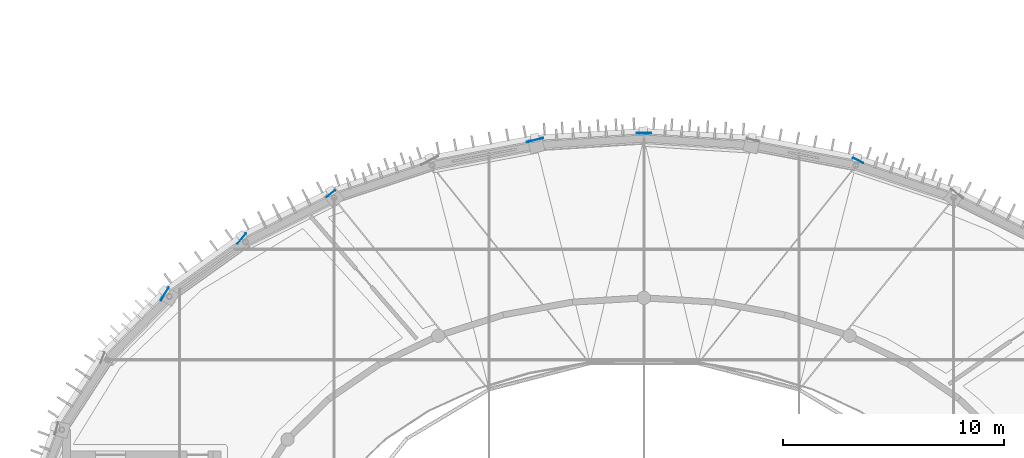
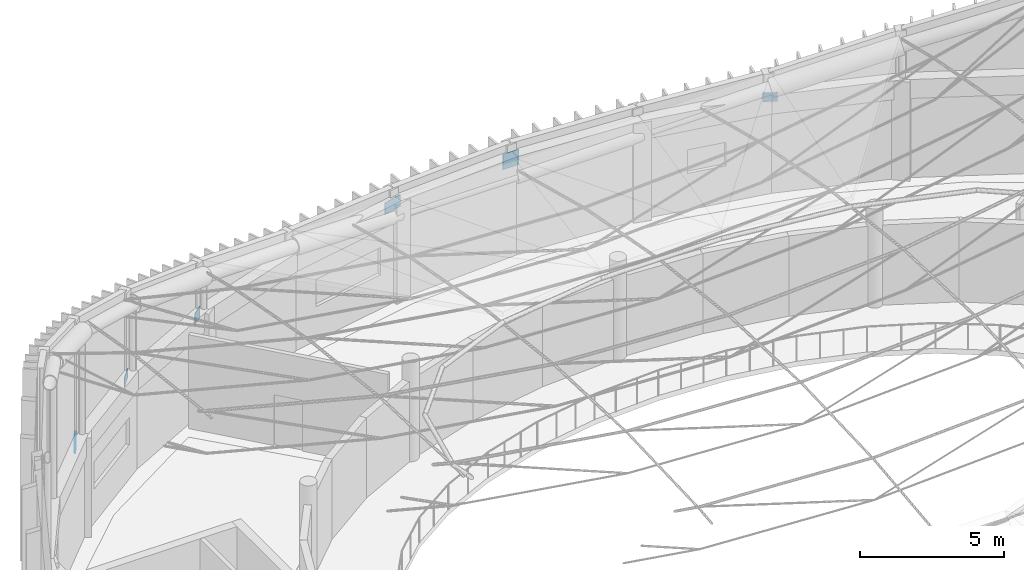
# One storey, part 23 of 36: 6 plates.
"""IFC4 building model written with IfcOpenShell, lengths in metres."""

from ifc_helpers import new_model, si_unit, direction, frame, origin, origin_2d, place, context, subcontext, project, spatial, rectangle, extrude, material, layer, layer_set, type_object, element, save


model = new_model("IFC4")

# Units and contexts
model_context = context("Model", 3, precision=1e-05, world=origin(), true_north=direction((0.0, 1.0)))
body_context = subcontext(model_context, "Body", "Model", "MODEL_VIEW")
ifc_project = project(units=[si_unit("LENGTHUNIT", "METRE"), si_unit("AREAUNIT", "SQUARE_METRE"), si_unit("VOLUMEUNIT", "CUBIC_METRE"), si_unit("PLANEANGLEUNIT", "RADIAN"), si_unit("MASSUNIT", "GRAM", prefix="KILO")], contexts=[model_context])

# Site, building, storey
site_placement = place(None, origin())
site = spatial("IfcSite", under=ifc_project, at=site_placement, CompositionType="ELEMENT")
building_placement = place(site_placement, origin())
building = spatial("IfcBuilding", under=site, at=building_placement, Name="Tarnveldt Headland Concert Hall", CompositionType="ELEMENT")
storey_placement = place(building_placement, frame((0.0, 0.0, 22.800048828125)))
storey = spatial("IfcBuildingStorey", under=building, at=storey_placement, Name="L05", CompositionType="ELEMENT", Elevation=22.800048828125)

# Plates
ifc_material = material(Name="Steel S355", Category="steel")
ifc_layer_1 = layer(ifc_material, 0.02587890625, Name="Steel S355", Category="steel")
ifc_layer_set_1 = layer_set([ifc_layer_1], Name="Steel S355")
plate_type_1 = type_object("IfcPlateType", Name="NP-02", PredefinedType="SHEET", material=ifc_layer_set_1)
plate_1_placement = place(storey_placement, frame((83.5, 74.739990234375, 3.47509765625), z_axis=(0.0, 0.0, 1.0), x_axis=(-1.0, 0.0, 0.0)))
element("IfcPlate", 1, at=plate_1_placement, inside=storey, type_object=plate_type_1, Name="Ring-beam cable anchorage plate 10", PredefinedType="SHEET", context=body_context, shape_type="SweptSolid", body=[
    extrude(rectangle(XDim=0.64990234375, YDim=0.02587890625, at=origin_2d()), origin(), (0.0, 0.0, 1.0), 0.64990234375),
])
ifc_layer_2 = layer(ifc_material, 0.02490234375, Name="Steel S355", Category="steel")
ifc_layer_set_2 = layer_set([ifc_layer_2], Name="Steel S355")
plate_type_2 = type_object("IfcPlateType", Name="NP-03", PredefinedType="SHEET", material=ifc_layer_set_2)
plate_2_placement = place(storey_placement, frame((78.580322265625, 74.42919921875, 3.550048828125), z_axis=(0.0, 0.0, 1.0), x_axis=(-0.970842131618, -0.239719743609, 0.0)))
element("IfcPlate", 2, at=plate_2_placement, inside=storey, type_object=plate_type_2, Name="Ring-beam cable anchorage plate 11", PredefinedType="SHEET", context=body_context, shape_type="SweptSolid", body=[
    extrude(rectangle(XDim=0.75, YDim=0.02490234375, at=origin_2d()), origin(), (0.0, 0.0, 1.0), 0.5),
])
ifc_layer_3 = layer(ifc_material, 0.02001953125, Name="Steel S355", Category="steel")
ifc_layer_set_3 = layer_set([ifc_layer_3], Name="Steel S355")
plate_type_3 = type_object("IfcPlateType", Name="NP-05", PredefinedType="SHEET", material=ifc_layer_set_3)
plate_3_placement = place(storey_placement, frame((69.34912109375, 72.007080078125, 3.56005859375), z_axis=(0.0, 0.0, 1.0), x_axis=(-0.777694851116, -0.628641963719, 0.0)))
element("IfcPlate", 3, at=plate_3_placement, inside=storey, type_object=plate_type_3, Name="Ring-beam cable anchorage plate 13", PredefinedType="SHEET", context=body_context, shape_type="SweptSolid", body=[
    extrude(rectangle(XDim=0.47998046875, YDim=0.02001953125, at=origin_2d()), origin(), (0.0, 0.0, 1.0), 0.47998046875),
])
ifc_layer_4 = layer(ifc_material, 0.02197265625, Name="Steel S355", Category="steel")
ifc_layer_set_4 = layer_set([ifc_layer_4], Name="Steel S355")
plate_type_4 = type_object("IfcPlateType", Name="NP-06", PredefinedType="SHEET", material=ifc_layer_set_4)
plate_4_placement = place(storey_placement, frame((65.319091796875, 69.9765625, 3.590087890625), z_axis=(0.0, 0.0, 1.0), x_axis=(-0.648252804699, -0.761425177676, 0.0)))
element("IfcPlate", 4, at=plate_4_placement, inside=storey, type_object=plate_type_4, Name="Ring-beam cable anchorage plate 14", PredefinedType="SHEET", context=body_context, shape_type="SweptSolid", body=[
    extrude(rectangle(XDim=0.60009765625, YDim=0.02197265625, at=origin_2d()), origin(), (0.0, 0.0, 1.0), 0.419921875),
])
ifc_layer_5 = layer(ifc_material, 0.02392578125, Name="Steel S355", Category="steel")
ifc_layer_set_5 = layer_set([ifc_layer_5], Name="Steel S355")
plate_type_5 = type_object("IfcPlateType", Name="NP-07", PredefinedType="SHEET", material=ifc_layer_set_5)
plate_5_placement = place(storey_placement, frame((61.844970703125, 67.479248046875, 3.5751953125), z_axis=(0.0, 0.0, 1.0), x_axis=(-0.514140169175, -0.85770617722, 0.0)))
element("IfcPlate", 5, at=plate_5_placement, inside=storey, type_object=plate_type_5, Name="Ring-beam cable anchorage plate 15", PredefinedType="SHEET", context=body_context, shape_type="SweptSolid", body=[
    extrude(rectangle(XDim=0.699951171875, YDim=0.02392578125, at=origin_2d()), origin(), (0.0, 0.0, 1.0), 0.449951171875),
])
ifc_layer_6 = layer(ifc_material, 0.01806640625, Name="Steel S355", Category="steel")
ifc_layer_set_6 = layer_set([ifc_layer_6], Name="Steel S355")
plate_type_6 = type_object("IfcPlateType", Name="NP-08", PredefinedType="SHEET", material=ifc_layer_set_6)
plate_6_placement = place(storey_placement, frame((93.185546875, 73.5078125, 3.610107421875), z_axis=(0.0, 0.0, 1.0), x_axis=(-0.891006524188, 0.45399049974, 0.0)))
element("IfcPlate", 6, at=plate_6_placement, inside=storey, type_object=plate_type_6, Name="Ring-beam cable anchorage plate 8", PredefinedType="SHEET", context=body_context, shape_type="SweptSolid", body=[
    extrude(rectangle(XDim=0.52001953125, YDim=0.01806640625, at=origin_2d()), origin(), (0.0, 0.0, 1.0), 0.3798828125),
])

save(model, "model.ifc")
